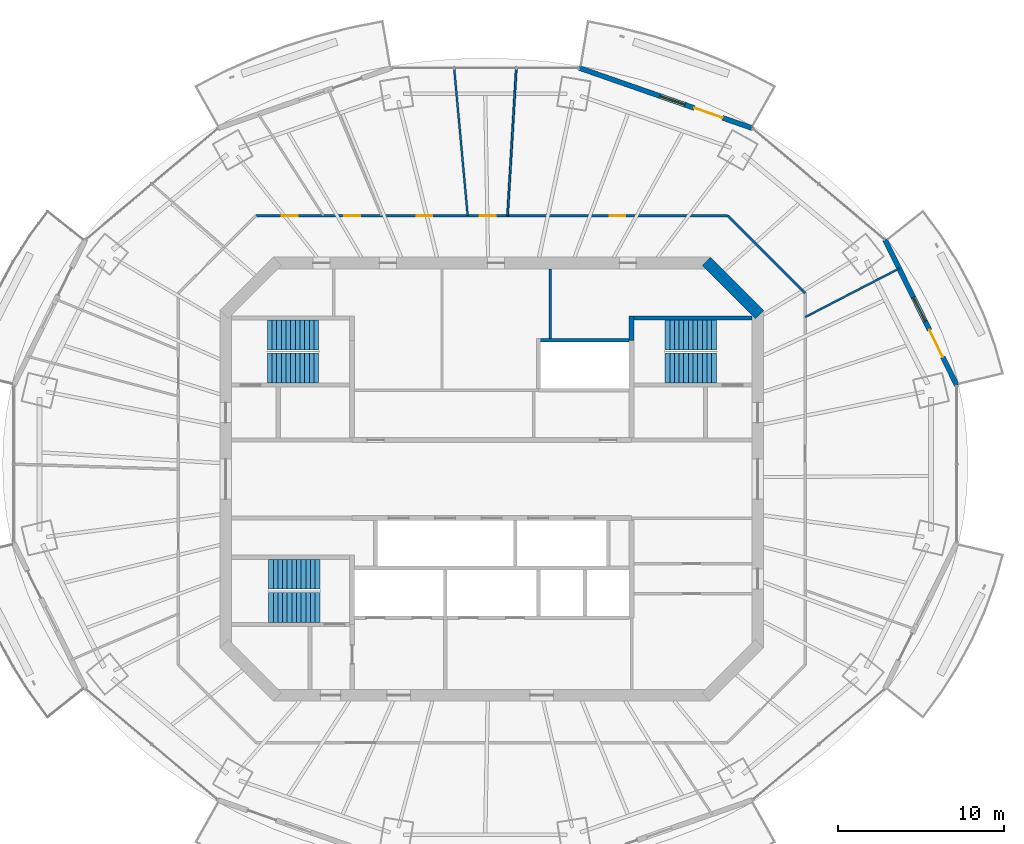
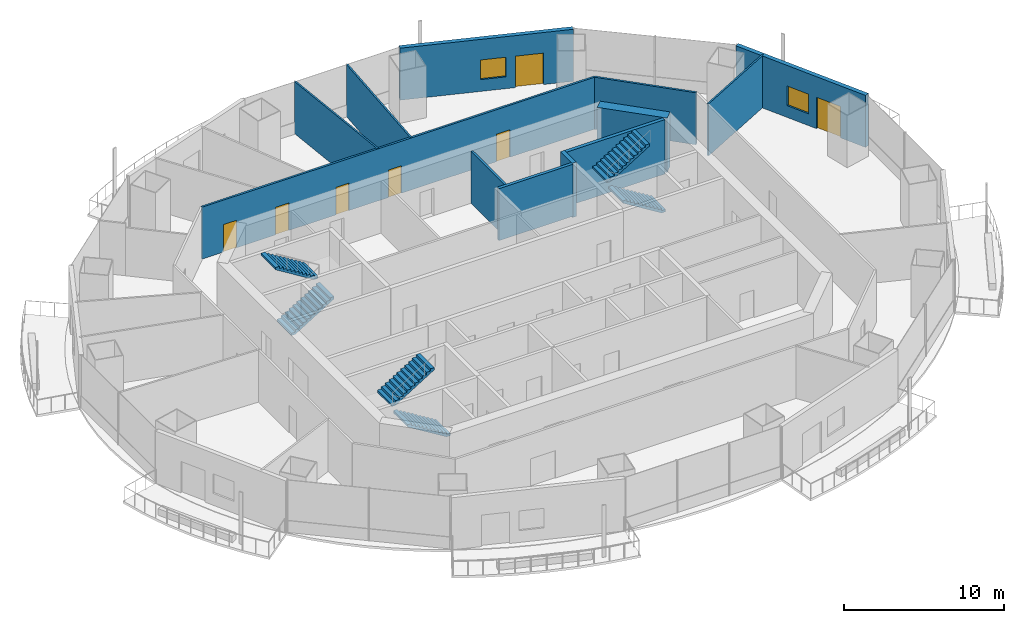
# One storey, part 11 of 16: 12 walls, 7 doors, 6 stair flights, 2 windows, 9 openings, 3 elements without a shape of their own.
"""IFC4 building model written with IfcOpenShell, lengths in metres."""

from ifc_helpers import new_model, si_unit, direction, frame, frame_2d, origin, place, context, subcontext, project, spatial, polyline, rectangle, outline, extrude, material, layer, layer_set, type_object, element, fill, aggregate, save


model = new_model("IFC4")

# Units and contexts
model_context = context("Model", 3, precision=1e-05, world=origin(), true_north=direction((0.0, 1.0)))
body_context = subcontext(model_context, "Body", "Model", "MODEL_VIEW")
ifc_project = project(units=[si_unit("LENGTHUNIT", "METRE"), si_unit("AREAUNIT", "SQUARE_METRE"), si_unit("VOLUMEUNIT", "CUBIC_METRE"), si_unit("PLANEANGLEUNIT", "RADIAN"), si_unit("MASSUNIT", "GRAM", prefix="KILO")], contexts=[model_context])

# Site, building, storey
site_placement = place(None, origin())
site = spatial("IfcSite", under=ifc_project, at=site_placement, CompositionType="ELEMENT")
building_placement = place(site_placement, origin())
building = spatial("IfcBuilding", under=site, at=building_placement, Name="Marenthal Gate Tower", CompositionType="ELEMENT")
storey_placement = place(building_placement, frame((0.0, 0.0, 288.64990234375)))
storey = spatial("IfcBuildingStorey", under=building, at=storey_placement, Name="L64", CompositionType="ELEMENT", Elevation=288.64990234375)

# Walls
ifc_material_1 = material(Name="Concrete 60 MPa", Category="concrete")
ifc_layer_1 = layer(ifc_material_1, 0.699951171875)
ifc_layer_set_1 = layer_set([ifc_layer_1], Name="Core shear wall 700")
wall_type_1 = type_object("IfcWallType", Name="Core shear wall 700", PredefinedType="SHEAR", material=ifc_layer_set_1)
wall_1_placement = place(storey_placement, frame((16.1025390625, 9.8974609375, -0.179931640625), z_axis=(0.0, 0.0, 1.0), x_axis=(-0.707106781187, 0.707106781187, 0.0)))
element("IfcWall", 1, at=wall_1_placement, inside=storey, type_object=wall_type_1, Name="Core wall 03", PredefinedType="SHEAR", context=body_context, shape_type="SweptSolid", body=[
    extrude(rectangle(XDim=4.53271484375, YDim=0.699951171875, at=frame_2d((2.266357421875, 0.0))), origin(), (0.0, 0.0, 1.0), 4.150146484375),
])
ifc_material_2 = material(Name="Concrete 40 MPa", Category="concrete")
ifc_layer_2 = layer(ifc_material_2, 0.219970703125)
ifc_layer_set_2 = layer_set([ifc_layer_2], Name="Hoistway wall 220")
wall_type_2 = type_object("IfcWallType", Name="Hoistway wall 220", PredefinedType="STANDARD", material=ifc_layer_set_2)
wall_2_placement = place(storey_placement, frame((2.909912109375, 8.35009765625, 0.0), z_axis=(0.0, 0.0, 1.0), x_axis=(1.0, 0.0, 0.0)))
element("IfcWall", 2, at=wall_2_placement, inside=storey, type_object=wall_type_2, Name="Hoistway wall 26", PredefinedType="STANDARD", context=body_context, shape_type="SweptSolid", body=[
    extrude(rectangle(XDim=5.340087890625, YDim=0.219970703125, at=frame_2d((2.669921875, 0.0))), origin(), (0.0, 0.0, 1.0), 3.97021484375),
])
ifc_material_3 = material(Name="Gypsum board on steel studs", Category="steel")
ifc_layer_3 = layer(ifc_material_3, 0.1201171875)
ifc_layer_set_3 = layer_set([ifc_layer_3], Name="Partition 120")
wall_type_3 = type_object("IfcWallType", Name="Partition 120", PredefinedType="PARTITIONING", material=ifc_layer_set_3)
wall_3_placement = place(storey_placement, frame((-1.454833984375, 15.85009765625, 0.0), z_axis=(0.0, 0.0, 1.0), x_axis=(-0.091408981172, 0.995813435419, 0.0)))
element("IfcWall", 3, at=wall_3_placement, inside=storey, type_object=wall_type_3, Name="Partition wall 63", PredefinedType="PARTITIONING", context=body_context, shape_type="SweptSolid", body=[
    extrude(rectangle(XDim=8.92333984375, YDim=0.1201171875, at=frame_2d((4.461669921875, 0.0))), origin(), (0.0, 0.0, 1.0), 3.97021484375),
])
wall_4_placement = place(storey_placement, frame((0.942138671875, 15.85009765625, 0.0), z_axis=(0.0, 0.0, 1.0), x_axis=(0.059350641377, 0.998237196947, 0.0)))
element("IfcWall", 4, at=wall_4_placement, inside=storey, type_object=wall_type_3, Name="Partition wall 64", PredefinedType="PARTITIONING", context=body_context, shape_type="SweptSolid", body=[
    extrude(rectangle(XDim=8.901611328125, YDim=0.1201171875, at=frame_2d((4.45068359375, 0.0))), origin(), (0.0, 0.0, 1.0), 3.97021484375),
])
wall_5_placement = place(storey_placement, frame((18.85009765625, 9.74658203125, 0.0), z_axis=(0.0, 0.0, 1.0), x_axis=(0.888271654615, 0.459318481675, 0.0)))
element("IfcWall", 5, at=wall_5_placement, inside=storey, type_object=wall_type_3, Name="Partition wall 70", PredefinedType="PARTITIONING", context=body_context, shape_type="SweptSolid", body=[
    extrude(rectangle(XDim=6.359619140625, YDim=0.1201171875, at=frame_2d((3.1796875, 0.0))), origin(), (0.0, 0.0, 1.0), 3.97021484375),
])
ifc_material_4 = material(Name="Gypsum board on steel studs", Category="steel")
ifc_layer_4 = layer(ifc_material_4, 0.14990234375)
ifc_layer_set_4 = layer_set([ifc_layer_4], Name="Partition 150")
wall_type_4 = type_object("IfcWallType", Name="Partition 150", PredefinedType="PARTITIONING", material=ifc_layer_set_4)
wall_6_placement = place(storey_placement, frame((3.5, 8.4599609375, 0.0), z_axis=(0.0, 0.0, 1.0), x_axis=(0.0, 1.0, 0.0)))
element("IfcWall", 6, at=wall_6_placement, inside=storey, type_object=wall_type_4, Name="Partition wall 44", PredefinedType="PARTITIONING", context=body_context, shape_type="SweptSolid", body=[
    extrude(rectangle(XDim=4.18994140625, YDim=0.14990234375, at=frame_2d((2.094970703125, 0.0))), origin(), (0.0, 0.0, 1.0), 3.97021484375),
])

# Wall, openings, doors
wall_7_placement = place(storey_placement, frame((-14.180419921875, 15.85009765625, 0.0), z_axis=(0.0, 0.0, 1.0), x_axis=(1.0, 0.0, 0.0)))
wall_7 = element("IfcWall", 7, at=wall_7_placement, inside=storey, type_object=wall_type_4, Name="Partition wall 60", PredefinedType="PARTITIONING", context=body_context, shape_type="SweptSolid", body=[
    extrude(rectangle(XDim=28.36083984375, YDim=0.14990234375, at=frame_2d((14.180419921875, 0.0))), origin(), (0.0, 0.0, 1.0), 3.97021484375),
])
opening_1_placement = place(wall_7_placement, frame((21.26708984375, 0.0, 0.0)))
opening_1 = element("IfcOpeningElement", 8, at=opening_1_placement, cuts=wall_7, Name="Opening D016.01", PredefinedType="OPENING", context=body_context, shape_type="SweptSolid", body=[
    extrude(rectangle(XDim=0.949951171875, YDim=2.10009765625, at=frame_2d((0.47509765625, 1.050048828125))), frame((0.0, 0.0849609375, 0.0), z_axis=(0.0, -1.0, 0.0), x_axis=(1.0, 0.0, 0.0)), (0.0, 0.0, 1.0), 0.169921875),
])
opening_2_placement = place(wall_7_placement, frame((13.448974609375, 0.0, 0.0)))
opening_2 = element("IfcOpeningElement", 9, at=opening_2_placement, cuts=wall_7, Name="Opening D016.02", PredefinedType="OPENING", context=body_context, shape_type="SweptSolid", body=[
    extrude(rectangle(XDim=0.949951171875, YDim=2.10009765625, at=frame_2d((0.47509765625, 1.050048828125))), frame((0.0, 0.0849609375, 0.0), z_axis=(0.0, -1.0, 0.0), x_axis=(1.0, 0.0, 0.0)), (0.0, 0.0, 1.0), 0.169921875),
])
opening_3_placement = place(wall_7_placement, frame((9.655029296875, 0.0, 0.0)))
opening_3 = element("IfcOpeningElement", 10, at=opening_3_placement, cuts=wall_7, Name="Opening D016.03", PredefinedType="OPENING", context=body_context, shape_type="SweptSolid", body=[
    extrude(rectangle(XDim=0.949951171875, YDim=2.10009765625, at=frame_2d((0.47509765625, 1.050048828125))), frame((0.0, 0.0849609375, 0.0), z_axis=(0.0, -1.0, 0.0), x_axis=(1.0, 0.0, 0.0)), (0.0, 0.0, 1.0), 0.169921875),
])
opening_4_placement = place(wall_7_placement, frame((5.31494140625, 0.0, 0.0)))
opening_4 = element("IfcOpeningElement", 11, at=opening_4_placement, cuts=wall_7, Name="Opening D016.04", PredefinedType="OPENING", context=body_context, shape_type="SweptSolid", body=[
    extrude(rectangle(XDim=0.949951171875, YDim=2.10009765625, at=frame_2d((0.47509765625, 1.050048828125))), frame((0.0, 0.0849609375, 0.0), z_axis=(0.0, -1.0, 0.0), x_axis=(1.0, 0.0, 0.0)), (0.0, 0.0, 1.0), 0.169921875),
])
opening_5_placement = place(wall_7_placement, frame((1.547119140625, 0.0, 0.0)))
opening_5 = element("IfcOpeningElement", 12, at=opening_5_placement, cuts=wall_7, Name="Opening D016.05", PredefinedType="OPENING", context=body_context, shape_type="SweptSolid", body=[
    extrude(rectangle(XDim=0.949951171875, YDim=2.10009765625, at=frame_2d((0.47509765625, 1.050048828125))), frame((0.0, 0.0849609375, 0.0), z_axis=(0.0, -1.0, 0.0), x_axis=(1.0, 0.0, 0.0)), (0.0, 0.0, 1.0), 0.169921875),
])
ifc_material_5 = material(Name="Timber door", Category="wood")
door_type_1 = type_object("IfcDoorType", Name="Door 950 x 2100", OperationType="NOTDEFINED", PredefinedType="DOOR", material=ifc_material_5)
door_1_placement = place(opening_1_placement, frame((0.949951171875, 0.0, 0.0), z_axis=(0.0, 0.0, 1.0), x_axis=(-1.0, 0.0, 0.0)))
door_1 = element("IfcDoor", 13, at=door_1_placement, inside=storey, type_object=door_type_1, Name="Door D016.01", OperationType="SINGLE_SWING_LEFT", OverallHeight=2.10009765625, OverallWidth=0.949951171875, PredefinedType="DOOR", context=body_context, shape_type="SweptSolid", body=[
    extrude(rectangle(XDim=0.949951171875, YDim=2.10009765625, at=frame_2d((0.47509765625, 1.050048828125))), frame((0.0, 0.02490234375, 0.0), z_axis=(0.0, -1.0, 0.0), x_axis=(1.0, 0.0, 0.0)), (0.0, 0.0, 1.0), 0.050048828125),
])
fill(opening_1, door_1)
door_2_placement = place(opening_2_placement, origin())
door_2 = element("IfcDoor", 14, at=door_2_placement, inside=storey, type_object=door_type_1, Name="Door D016.02", OperationType="SINGLE_SWING_RIGHT", OverallHeight=2.10009765625, OverallWidth=0.949951171875, PredefinedType="DOOR", context=body_context, shape_type="SweptSolid", body=[
    extrude(rectangle(XDim=0.949951171875, YDim=2.10009765625, at=frame_2d((0.47509765625, 1.050048828125))), frame((0.0, 0.02490234375, 0.0), z_axis=(0.0, -1.0, 0.0), x_axis=(1.0, 0.0, 0.0)), (0.0, 0.0, 1.0), 0.050048828125),
])
fill(opening_2, door_2)
door_3_placement = place(opening_3_placement, origin())
door_3 = element("IfcDoor", 15, at=door_3_placement, inside=storey, type_object=door_type_1, Name="Door D016.03", OperationType="SINGLE_SWING_RIGHT", OverallHeight=2.10009765625, OverallWidth=0.949951171875, PredefinedType="DOOR", context=body_context, shape_type="SweptSolid", body=[
    extrude(rectangle(XDim=0.949951171875, YDim=2.10009765625, at=frame_2d((0.47509765625, 1.050048828125))), frame((0.0, 0.02490234375, 0.0), z_axis=(0.0, -1.0, 0.0), x_axis=(1.0, 0.0, 0.0)), (0.0, 0.0, 1.0), 0.050048828125),
])
fill(opening_3, door_3)
door_4_placement = place(opening_4_placement, origin())
door_4 = element("IfcDoor", 16, at=door_4_placement, inside=storey, type_object=door_type_1, Name="Door D016.04", OperationType="SINGLE_SWING_RIGHT", OverallHeight=2.10009765625, OverallWidth=0.949951171875, PredefinedType="DOOR", context=body_context, shape_type="SweptSolid", body=[
    extrude(rectangle(XDim=0.949951171875, YDim=2.10009765625, at=frame_2d((0.47509765625, 1.050048828125))), frame((0.0, 0.02490234375, 0.0), z_axis=(0.0, -1.0, 0.0), x_axis=(1.0, 0.0, 0.0)), (0.0, 0.0, 1.0), 0.050048828125),
])
fill(opening_4, door_4)
door_5_placement = place(opening_5_placement, origin())
door_5 = element("IfcDoor", 17, at=door_5_placement, inside=storey, type_object=door_type_1, Name="Door D016.05", OperationType="SINGLE_SWING_RIGHT", OverallHeight=2.10009765625, OverallWidth=0.949951171875, PredefinedType="DOOR", context=body_context, shape_type="SweptSolid", body=[
    extrude(rectangle(XDim=0.949951171875, YDim=2.10009765625, at=frame_2d((0.47509765625, 1.050048828125))), frame((0.0, 0.02490234375, 0.0), z_axis=(0.0, -1.0, 0.0), x_axis=(1.0, 0.0, 0.0)), (0.0, 0.0, 1.0), 0.050048828125),
])
fill(opening_5, door_5)

# Walls
wall_8_placement = place(storey_placement, frame((14.180419921875, 15.85009765625, 0.0), z_axis=(0.0, 0.0, 1.0), x_axis=(0.707106781187, -0.707106781187, 0.0)))
element("IfcWall", 18, at=wall_8_placement, inside=storey, type_object=wall_type_4, Name="Partition wall 67", PredefinedType="PARTITIONING", context=body_context, shape_type="SweptSolid", body=[
    extrude(rectangle(XDim=6.60400390625, YDim=0.14990234375, at=frame_2d((3.302001953125, 0.0))), origin(), (0.0, 0.0, 1.0), 3.97021484375),
])
ifc_material_6 = material(Name="Concrete 50 MPa", Category="concrete")
ifc_layer_5 = layer(ifc_material_6, 0.25)
ifc_layer_set_5 = layer_set([ifc_layer_5], Name="Stair shear wall 250")
wall_type_5 = type_object("IfcWallType", Name="Stair shear wall 250", PredefinedType="SHEAR", material=ifc_layer_set_5)
wall_9_placement = place(storey_placement, frame((8.550048828125, 9.699951171875, -0.179931640625), z_axis=(0.0, 0.0, 1.0), x_axis=(1.0, 0.0, 0.0)))
element("IfcWall", 19, at=wall_9_placement, inside=storey, type_object=wall_type_5, Name="Stair wall 28", PredefinedType="SHEAR", context=body_context, shape_type="SweptSolid", body=[
    extrude(rectangle(XDim=7.099853515625, YDim=0.25, at=frame_2d((3.5498046875, 0.0))), origin(), (0.0, 0.0, 1.0), 4.150146484375),
])
ifc_material_7 = material(Name="Concrete 50 MPa", Category="concrete")
ifc_layer_6 = layer(ifc_material_7, 0.300048828125)
ifc_layer_set_6 = layer_set([ifc_layer_6], Name="Stair shear wall 300")
wall_type_6 = type_object("IfcWallType", Name="Stair shear wall 300", PredefinedType="SHEAR", material=ifc_layer_set_6)
wall_10_placement = place(storey_placement, frame((8.39990234375, 8.35009765625, -0.179931640625), z_axis=(0.0, 0.0, 1.0), x_axis=(0.0, 1.0, 0.0)))
element("IfcWall", 20, at=wall_10_placement, inside=storey, type_object=wall_type_6, Name="Stair wall 50", PredefinedType="SHEAR", context=body_context, shape_type="SweptSolid", body=[
    extrude(rectangle(XDim=1.474853515625, YDim=0.300048828125, at=frame_2d((0.7373046875, 0.0))), origin(), (0.0, 0.0, 1.0), 4.150146484375),
])

# Wall, openings, door, window
ifc_material_8 = material(Name="Terracotta cladding on insulated concrete-block backing", Category="masonry")
ifc_layer_7 = layer(ifc_material_8, 0.300048828125)
ifc_layer_set_7 = layer_set([ifc_layer_7], Name="Terracotta facade wall 300")
wall_type_7 = type_object("IfcWallType", Name="Terracotta facade wall 300", PredefinedType="SOLIDWALL", material=ifc_layer_set_7)
wall_11_placement = place(storey_placement, frame((27.96240234375, 5.641357421875, 0.0), z_axis=(0.0, 0.0, 1.0), x_axis=(-0.442107110685, 0.8969622638, 0.0)))
wall_11 = element("IfcWall", 21, at=wall_11_placement, inside=storey, type_object=wall_type_7, Name="Terracotta facade wall L64 bay 1", PredefinedType="SOLIDWALL", context=body_context, shape_type="SweptSolid", body=[
    extrude(rectangle(XDim=9.76708984375, YDim=0.300048828125, at=frame_2d((4.883544921875, 0.0))), origin(), (0.0, 0.0, 1.0), 3.97021484375),
])
opening_6_placement = place(wall_11_placement, frame((1.89990234375, 0.0, 0.0)))
opening_6 = element("IfcOpeningElement", 22, at=opening_6_placement, cuts=wall_11, Name="Opening BD-L64-01", PredefinedType="OPENING", context=body_context, shape_type="SweptSolid", body=[
    extrude(rectangle(XDim=1.800048828125, YDim=2.39990234375, at=frame_2d((0.89990234375, 1.199951171875))), frame((0.0, 0.16015625, 0.0), z_axis=(0.0, -1.0, 0.0), x_axis=(1.0, 0.0, 0.0)), (0.0, 0.0, 1.0), 0.320068359375),
])
opening_7_placement = place(wall_11_placement, frame((4.300048828125, 0.0, 0.89990234375)))
opening_7 = element("IfcOpeningElement", 23, at=opening_7_placement, cuts=wall_11, Name="Opening WN3-L64-01", PredefinedType="OPENING", context=body_context, shape_type="SweptSolid", body=[
    extrude(rectangle(XDim=1.60009765625, YDim=1.5, at=frame_2d((0.800048828125, 0.75))), frame((0.0, 0.16015625, 0.0), z_axis=(0.0, -1.0, 0.0), x_axis=(1.0, 0.0, 0.0)), (0.0, 0.0, 1.0), 0.320068359375),
])
ifc_material_9 = material(Name="Aluminium and glass", Category="aluminium")
door_type_2 = type_object("IfcDoorType", Name="Balcony door 1800x2400", OperationType="DOUBLE_DOOR_SINGLE_SWING", PredefinedType="DOOR", material=ifc_material_9)
door_6_placement = place(opening_6_placement, origin())
door_6 = element("IfcDoor", 24, at=door_6_placement, inside=storey, type_object=door_type_2, Name="Balcony door L64 bay 1", OperationType="SINGLE_SWING_LEFT", OverallHeight=2.39990234375, OverallWidth=1.800048828125, PredefinedType="DOOR", context=body_context, shape_type="SweptSolid", body=[
    extrude(rectangle(XDim=1.800048828125, YDim=2.39990234375, at=frame_2d((0.89990234375, 1.199951171875))), frame((0.0, 0.02490234375, 0.0), z_axis=(0.0, -1.0, 0.0), x_axis=(1.0, 0.0, 0.0)), (0.0, 0.0, 1.0), 0.050048828125),
])
fill(opening_6, door_6)
ifc_material_10 = material(Name="Aluminium and glass", Category="aluminium")
window_type = type_object("IfcWindowType", Name="Window 1600x1500", PartitioningType="DOUBLE_PANEL_VERTICAL", PredefinedType="WINDOW", material=ifc_material_10)
window_1_placement = place(opening_7_placement, origin())
window_1 = element("IfcWindow", 25, at=window_1_placement, inside=storey, type_object=window_type, Name="Window L64 bay 1", OverallHeight=1.5, OverallWidth=1.60009765625, PartitioningType="SINGLE_PANEL", PredefinedType="WINDOW", context=body_context, shape_type="SweptSolid", body=[
    extrude(rectangle(XDim=1.60009765625, YDim=1.5, at=frame_2d((0.800048828125, 0.75))), frame((0.0, 0.030029296875, 0.0), z_axis=(0.0, -1.0, 0.0), x_axis=(1.0, 0.0, 0.0)), (0.0, 0.0, 1.0), 0.06005859375),
])
fill(opening_7, window_1)

wall_12_placement = place(storey_placement, frame((15.666015625, 21.107177734375, 0.0), z_axis=(0.0, 0.0, 1.0), x_axis=(-0.94441082719, 0.328767683155, 0.0)))
wall_12 = element("IfcWall", 26, at=wall_12_placement, inside=storey, type_object=wall_type_7, Name="Terracotta facade wall L64 bay 3", PredefinedType="SOLIDWALL", context=body_context, shape_type="SweptSolid", body=[
    extrude(rectangle(XDim=11.037841796875, YDim=0.300048828125, at=frame_2d((5.51904296875, 0.0))), origin(), (0.0, 0.0, 1.0), 3.97021484375),
])
opening_8_placement = place(wall_12_placement, frame((1.89990234375, 0.0, 0.0)))
opening_8 = element("IfcOpeningElement", 27, at=opening_8_placement, cuts=wall_12, Name="Opening BD-L64-03", PredefinedType="OPENING", context=body_context, shape_type="SweptSolid", body=[
    extrude(rectangle(XDim=1.800048828125, YDim=2.39990234375, at=frame_2d((0.89990234375, 1.199951171875))), frame((0.0, 0.16015625, 0.0), z_axis=(0.0, -1.0, 0.0), x_axis=(1.0, 0.0, 0.0)), (0.0, 0.0, 1.0), 0.320068359375),
])
opening_9_placement = place(wall_12_placement, frame((4.300048828125, 0.0, 0.89990234375)))
opening_9 = element("IfcOpeningElement", 28, at=opening_9_placement, cuts=wall_12, Name="Opening WN3-L64-03", PredefinedType="OPENING", context=body_context, shape_type="SweptSolid", body=[
    extrude(rectangle(XDim=1.60009765625, YDim=1.5, at=frame_2d((0.800048828125, 0.75))), frame((0.0, 0.16015625, 0.0), z_axis=(0.0, -1.0, 0.0), x_axis=(1.0, 0.0, 0.0)), (0.0, 0.0, 1.0), 0.320068359375),
])
door_7_placement = place(opening_8_placement, origin())
door_7 = element("IfcDoor", 29, at=door_7_placement, inside=storey, type_object=door_type_2, Name="Balcony door L64 bay 3", OperationType="SINGLE_SWING_LEFT", OverallHeight=2.39990234375, OverallWidth=1.800048828125, PredefinedType="DOOR", context=body_context, shape_type="SweptSolid", body=[
    extrude(rectangle(XDim=1.800048828125, YDim=2.39990234375, at=frame_2d((0.89990234375, 1.199951171875))), frame((0.0, 0.02490234375, 0.0), z_axis=(0.0, -1.0, 0.0), x_axis=(1.0, 0.0, 0.0)), (0.0, 0.0, 1.0), 0.050048828125),
])
fill(opening_8, door_7)
window_2_placement = place(opening_9_placement, origin())
window_2 = element("IfcWindow", 30, at=window_2_placement, inside=storey, type_object=window_type, Name="Window L64 bay 3", OverallHeight=1.5, OverallWidth=1.60009765625, PartitioningType="SINGLE_PANEL", PredefinedType="WINDOW", context=body_context, shape_type="SweptSolid", body=[
    extrude(rectangle(XDim=1.60009765625, YDim=1.5, at=frame_2d((0.800048828125, 0.75))), frame((0.0, 0.030029296875, 0.0), z_axis=(0.0, -1.0, 0.0), x_axis=(1.0, 0.0, 0.0)), (0.0, 0.0, 1.0), 0.06005859375),
])
fill(opening_9, window_2)

# Stair, stair flights
ifc_material_11 = material(Name="Concrete 40 MPa", Category="concrete")
stair_type = type_object("IfcStairType", Name="Exit stair 1800", PredefinedType="HALF_TURN_STAIR", material=ifc_material_11)
stair_1_placement = place(storey_placement, origin())
stair_1 = element("IfcStair", 31, at=stair_1_placement, inside=storey, type_object=stair_type, Name="Stair ST1", PredefinedType="HALF_TURN_STAIR")
ifc_material_12 = material(Name="Concrete 40 MPa", Category="concrete")
stair_flight_type = type_object("IfcStairFlightType", Name="Stair flight 1800", PredefinedType="STRAIGHT", material=ifc_material_12)
stair_flight_1_placement = place(storey_placement, frame((-13.5, 6.675048828125, 0.0), z_axis=(0.0, 0.0, 1.0), x_axis=(1.0, 0.0, 0.0)))
stair_flight_1 = element("IfcStairFlight", 32, at=stair_flight_1_placement, type_object=stair_flight_type, Name="ST1 flight 1", NumberOfRisers=12, NumberOfTreads=11, PredefinedType="STRAIGHT", RiserHeight=0.172916667, TreadLength=0.28, context=body_context, shape_type="SweptSolid", body=[
    extrude(outline(polyline([(0.0, 0.0), (0.0, 0.1728515625), (0.280029296875, 0.1728515625), (0.280029296875, 0.345947265625), (0.56005859375, 0.345947265625), (0.56005859375, 0.518798828125), (0.840087890625, 0.518798828125), (0.840087890625, 0.691650390625), (1.1201171875, 0.691650390625), (1.1201171875, 0.864501953125), (1.39990234375, 0.864501953125), (1.39990234375, 1.03759765625), (1.679931640625, 1.03759765625), (1.679931640625, 1.21044921875), (1.9599609375, 1.21044921875), (1.9599609375, 1.38330078125), (2.239990234375, 1.38330078125), (2.239990234375, 1.55615234375), (2.52001953125, 1.55615234375), (2.52001953125, 1.729248046875), (2.800048828125, 1.729248046875), (2.800048828125, 1.902099609375), (3.080078125, 1.902099609375), (3.080078125, 2.074951171875), (3.080078125, 1.725830078125), (0.285400390625, 0.0), (0.0, 0.0)])), frame((0.0, 0.89990234375, 0.0), z_axis=(0.0, -1.0, 0.0), x_axis=(1.0, 0.0, 0.0)), (0.0, 0.0, 1.0), 1.800048828125),
])
stair_flight_2_placement = place(storey_placement, frame((-10.419921875, 8.675048828125, 2.0751953125), z_axis=(0.0, 0.0, 1.0), x_axis=(-1.0, 0.0, 0.0)))
stair_flight_2 = element("IfcStairFlight", 33, at=stair_flight_2_placement, type_object=stair_flight_type, Name="ST1 flight 2", NumberOfRisers=12, NumberOfTreads=11, PredefinedType="STRAIGHT", RiserHeight=0.172916667, TreadLength=0.28, context=body_context, shape_type="SweptSolid", body=[
    extrude(outline(polyline([(0.0, 0.0), (0.0, 0.1728515625), (0.280029296875, 0.1728515625), (0.280029296875, 0.345947265625), (0.56005859375, 0.345947265625), (0.56005859375, 0.518798828125), (0.840087890625, 0.518798828125), (0.840087890625, 0.691650390625), (1.1201171875, 0.691650390625), (1.1201171875, 0.864501953125), (1.39990234375, 0.864501953125), (1.39990234375, 1.03759765625), (1.679931640625, 1.03759765625), (1.679931640625, 1.21044921875), (1.9599609375, 1.21044921875), (1.9599609375, 1.38330078125), (2.239990234375, 1.38330078125), (2.239990234375, 1.55615234375), (2.52001953125, 1.55615234375), (2.52001953125, 1.729248046875), (2.800048828125, 1.729248046875), (2.800048828125, 1.902099609375), (3.080078125, 1.902099609375), (3.080078125, 2.074951171875), (3.080078125, 1.725830078125), (0.285400390625, 0.0), (0.0, 0.0)])), frame((0.0, 0.89990234375, 0.0), z_axis=(0.0, -1.0, 0.0), x_axis=(1.0, 0.0, 0.0)), (0.0, 0.0, 1.0), 1.800048828125),
])
aggregate(stair_1, [stair_flight_1, stair_flight_2])

stair_2_placement = place(storey_placement, origin())
stair_2 = element("IfcStair", 34, at=stair_2_placement, inside=storey, type_object=stair_type, Name="Stair ST2", PredefinedType="HALF_TURN_STAIR")
stair_flight_3_placement = place(storey_placement, frame((-10.35009765625, -7.72509765625, 0.0), z_axis=(0.0, 0.0, 1.0), x_axis=(-1.0, 0.0, 0.0)))
stair_flight_3 = element("IfcStairFlight", 35, at=stair_flight_3_placement, type_object=stair_flight_type, Name="ST2 flight 1", NumberOfRisers=12, NumberOfTreads=11, PredefinedType="STRAIGHT", RiserHeight=0.172916667, TreadLength=0.28, context=body_context, shape_type="SweptSolid", body=[
    extrude(outline(polyline([(0.0, 0.0), (0.0, 0.1728515625), (0.280029296875, 0.1728515625), (0.280029296875, 0.345947265625), (0.56005859375, 0.345947265625), (0.56005859375, 0.518798828125), (0.840087890625, 0.518798828125), (0.840087890625, 0.691650390625), (1.1201171875, 0.691650390625), (1.1201171875, 0.864501953125), (1.39990234375, 0.864501953125), (1.39990234375, 1.03759765625), (1.679931640625, 1.03759765625), (1.679931640625, 1.21044921875), (1.9599609375, 1.21044921875), (1.9599609375, 1.38330078125), (2.239990234375, 1.38330078125), (2.239990234375, 1.55615234375), (2.52001953125, 1.55615234375), (2.52001953125, 1.729248046875), (2.800048828125, 1.729248046875), (2.800048828125, 1.902099609375), (3.080078125, 1.902099609375), (3.080078125, 2.074951171875), (3.080078125, 1.725830078125), (0.285400390625, 0.0), (0.0, 0.0)])), frame((0.0, 0.89990234375, 0.0), z_axis=(0.0, -1.0, 0.0), x_axis=(1.0, 0.0, 0.0)), (0.0, 0.0, 1.0), 1.800048828125),
])
stair_flight_4_placement = place(storey_placement, frame((-13.429931640625, -5.72509765625, 2.0751953125), z_axis=(0.0, 0.0, 1.0), x_axis=(1.0, 0.0, 0.0)))
stair_flight_4 = element("IfcStairFlight", 36, at=stair_flight_4_placement, type_object=stair_flight_type, Name="ST2 flight 2", NumberOfRisers=12, NumberOfTreads=11, PredefinedType="STRAIGHT", RiserHeight=0.172916667, TreadLength=0.28, context=body_context, shape_type="SweptSolid", body=[
    extrude(outline(polyline([(0.0, 0.0), (0.0, 0.1728515625), (0.280029296875, 0.1728515625), (0.280029296875, 0.345947265625), (0.56005859375, 0.345947265625), (0.56005859375, 0.518798828125), (0.840087890625, 0.518798828125), (0.840087890625, 0.691650390625), (1.1201171875, 0.691650390625), (1.1201171875, 0.864501953125), (1.39990234375, 0.864501953125), (1.39990234375, 1.03759765625), (1.679931640625, 1.03759765625), (1.679931640625, 1.21044921875), (1.9599609375, 1.21044921875), (1.9599609375, 1.38330078125), (2.239990234375, 1.38330078125), (2.239990234375, 1.55615234375), (2.52001953125, 1.55615234375), (2.52001953125, 1.729248046875), (2.800048828125, 1.729248046875), (2.800048828125, 1.902099609375), (3.080078125, 1.902099609375), (3.080078125, 2.074951171875), (3.080078125, 1.725830078125), (0.285400390625, 0.0), (0.0, 0.0)])), frame((0.0, 0.89990234375, 0.0), z_axis=(0.0, -1.0, 0.0), x_axis=(1.0, 0.0, 0.0)), (0.0, 0.0, 1.0), 1.800048828125),
])
aggregate(stair_2, [stair_flight_3, stair_flight_4])

stair_3_placement = place(storey_placement, origin())
stair_3 = element("IfcStair", 37, at=stair_3_placement, inside=storey, type_object=stair_type, Name="Stair ST3", PredefinedType="HALF_TURN_STAIR")
stair_flight_5_placement = place(storey_placement, frame((13.5, 6.675048828125, 0.0), z_axis=(0.0, 0.0, 1.0), x_axis=(-1.0, 0.0, 0.0)))
stair_flight_5 = element("IfcStairFlight", 38, at=stair_flight_5_placement, type_object=stair_flight_type, Name="ST3 flight 1", NumberOfRisers=12, NumberOfTreads=11, PredefinedType="STRAIGHT", RiserHeight=0.172916667, TreadLength=0.28, context=body_context, shape_type="SweptSolid", body=[
    extrude(outline(polyline([(0.0, 0.0), (0.0, 0.1728515625), (0.280029296875, 0.1728515625), (0.280029296875, 0.345947265625), (0.56005859375, 0.345947265625), (0.56005859375, 0.518798828125), (0.840087890625, 0.518798828125), (0.840087890625, 0.691650390625), (1.1201171875, 0.691650390625), (1.1201171875, 0.864501953125), (1.39990234375, 0.864501953125), (1.39990234375, 1.03759765625), (1.679931640625, 1.03759765625), (1.679931640625, 1.21044921875), (1.9599609375, 1.21044921875), (1.9599609375, 1.38330078125), (2.239990234375, 1.38330078125), (2.239990234375, 1.55615234375), (2.52001953125, 1.55615234375), (2.52001953125, 1.729248046875), (2.800048828125, 1.729248046875), (2.800048828125, 1.902099609375), (3.080078125, 1.902099609375), (3.080078125, 2.074951171875), (3.080078125, 1.725830078125), (0.285400390625, 0.0), (0.0, 0.0)])), frame((0.0, 0.89990234375, 0.0), z_axis=(0.0, -1.0, 0.0), x_axis=(1.0, 0.0, 0.0)), (0.0, 0.0, 1.0), 1.800048828125),
])
stair_flight_6_placement = place(storey_placement, frame((10.419921875, 8.675048828125, 2.0751953125), z_axis=(0.0, 0.0, 1.0), x_axis=(1.0, 0.0, 0.0)))
stair_flight_6 = element("IfcStairFlight", 39, at=stair_flight_6_placement, type_object=stair_flight_type, Name="ST3 flight 2", NumberOfRisers=12, NumberOfTreads=11, PredefinedType="STRAIGHT", RiserHeight=0.172916667, TreadLength=0.28, context=body_context, shape_type="SweptSolid", body=[
    extrude(outline(polyline([(0.0, 0.0), (0.0, 0.1728515625), (0.280029296875, 0.1728515625), (0.280029296875, 0.345947265625), (0.56005859375, 0.345947265625), (0.56005859375, 0.518798828125), (0.840087890625, 0.518798828125), (0.840087890625, 0.691650390625), (1.1201171875, 0.691650390625), (1.1201171875, 0.864501953125), (1.39990234375, 0.864501953125), (1.39990234375, 1.03759765625), (1.679931640625, 1.03759765625), (1.679931640625, 1.21044921875), (1.9599609375, 1.21044921875), (1.9599609375, 1.38330078125), (2.239990234375, 1.38330078125), (2.239990234375, 1.55615234375), (2.52001953125, 1.55615234375), (2.52001953125, 1.729248046875), (2.800048828125, 1.729248046875), (2.800048828125, 1.902099609375), (3.080078125, 1.902099609375), (3.080078125, 2.074951171875), (3.080078125, 1.725830078125), (0.285400390625, 0.0), (0.0, 0.0)])), frame((0.0, 0.89990234375, 0.0), z_axis=(0.0, -1.0, 0.0), x_axis=(1.0, 0.0, 0.0)), (0.0, 0.0, 1.0), 1.800048828125),
])
aggregate(stair_3, [stair_flight_5, stair_flight_6])

save(model, "model.ifc")
